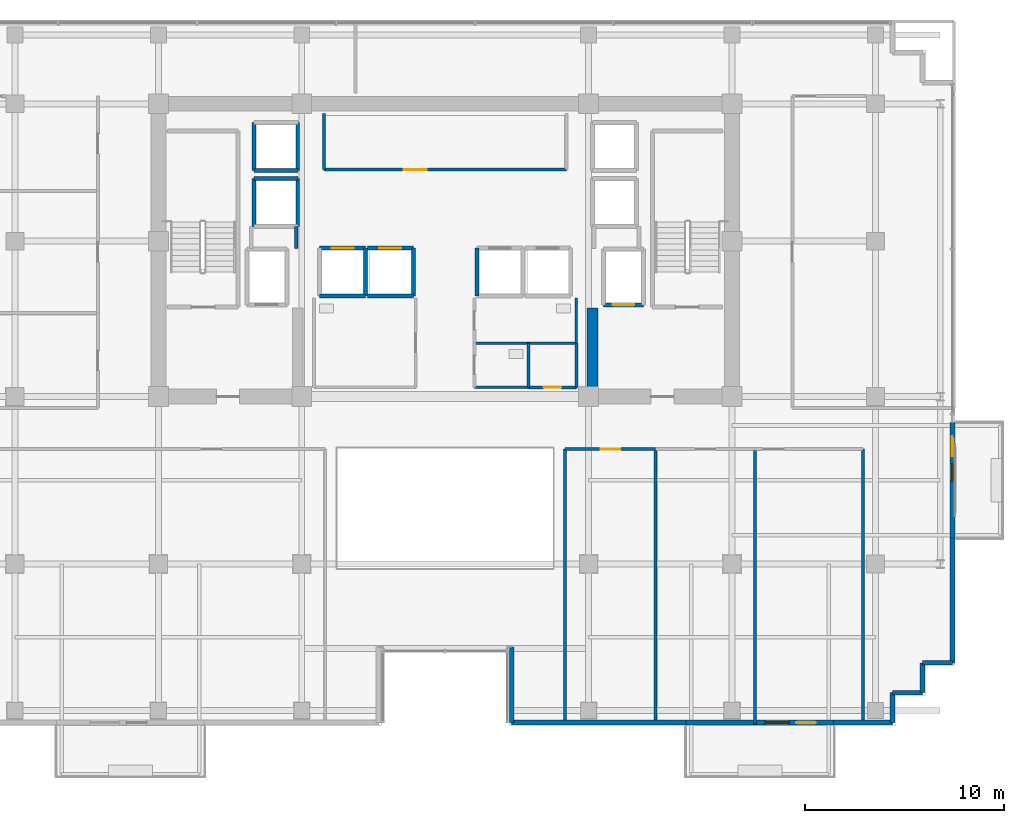
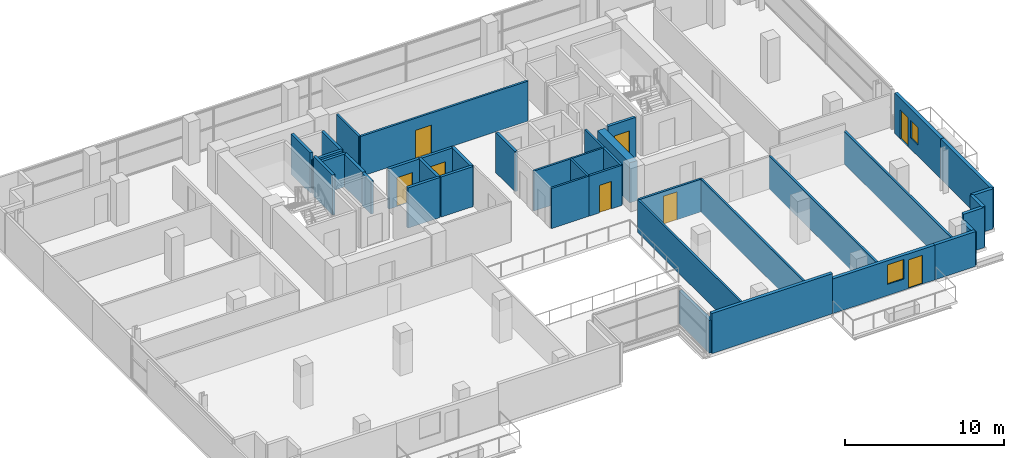
# One storey, part 20 of 27: 39 walls, 8 doors, 2 windows, 10 openings.
"""IFC4 building model written with IfcOpenShell, lengths in metres."""

from ifc_helpers import new_model, si_unit, direction, frame, frame_2d, origin, place, context, subcontext, project, spatial, rectangle, extrude, source, transform, mapped, material, layer, layer_set, type_object, element, fill, save


model = new_model("IFC4")

# Units and contexts
model_context = context("Model", 3, precision=1e-05, world=origin(), true_north=direction((0.0, 1.0)))
body_context = subcontext(model_context, "Body", "Model", "MODEL_VIEW")
ifc_project = project(units=[si_unit("LENGTHUNIT", "METRE"), si_unit("AREAUNIT", "SQUARE_METRE"), si_unit("VOLUMEUNIT", "CUBIC_METRE"), si_unit("PLANEANGLEUNIT", "RADIAN"), si_unit("MASSUNIT", "GRAM", prefix="KILO")], contexts=[model_context])

# Site, building, storey
site_placement = place(None, origin())
site = spatial("IfcSite", under=ifc_project, at=site_placement, CompositionType="ELEMENT")
building_placement = place(site_placement, origin())
building = spatial("IfcBuilding", under=site, at=building_placement, Name="Zarnakvel Exchange Tower", CompositionType="ELEMENT")
storey_placement = place(building_placement, frame((0.0, 0.0, 106.60009765625)))
storey = spatial("IfcBuildingStorey", under=building, at=storey_placement, Name="L29", CompositionType="ELEMENT", Elevation=106.60009765625)

# Wall
ifc_material_1 = material(Name="Concrete C60/75", Category="concrete")
ifc_layer_1 = layer(ifc_material_1, 0.550048828125)
ifc_layer_set_1 = layer_set([ifc_layer_1], Name="Concrete C60/75")
wall_type_1 = type_object("IfcWallType", Name="CW-C4", PredefinedType="SHEAR", material=ifc_layer_set_1)
wall_1_placement = place(storey_placement, frame((7.39990234375, -0.824951171875, 0.0), z_axis=(0.0, 0.0, 1.0), x_axis=(0.0, 1.0, 0.0)))
element("IfcWall", 1, at=wall_1_placement, inside=storey, type_object=wall_type_1, Name="L29 Rear Core Shear Wall IE (CW-C4)", PredefinedType="SHEAR", context=body_context, shape_type="SweptSolid", body=[
    extrude(rectangle(XDim=4.074951171875, YDim=0.550048828125, at=frame_2d((2.03759765625, 0.0))), origin(), (0.0, 0.0, 1.0), 3.074951171875),
])

# Wall, openings, door, window
ifc_material_2 = material(Name="Precast concrete C40/50", Category="concrete")
ifc_layer_2 = layer(ifc_material_2, 0.239990234375)
ifc_layer_set_2 = layer_set([ifc_layer_2], Name="Precast concrete C40/50")
wall_type_2 = type_object("IfcWallType", Name="EW-02", PredefinedType="SOLIDWALL", material=ifc_layer_set_2)
wall_2_placement = place(storey_placement, frame((19.5, -17.56005859375, 0.0), z_axis=(0.0, 0.0, 1.0), x_axis=(-1.0, 0.0, 0.0)))
wall_2 = element("IfcWall", 2, at=wall_2_placement, inside=storey, type_object=wall_type_2, Name="L29 Exterior Precast Spandrel Wall EW-BAL-L29-SE (EW-02)", PredefinedType="SOLIDWALL", context=body_context, shape_type="SweptSolid", body=[
    extrude(rectangle(XDim=7.39990234375, YDim=0.239990234375, at=frame_2d((3.699951171875, 0.0))), origin(), (0.0, 0.0, 1.0), 2.664794921875),
])
opening_1_placement = place(wall_2_placement, frame((0.887939453125, 0.0, 0.0)))
opening_1 = element("IfcOpeningElement", 3, at=opening_1_placement, cuts=wall_2, Name="Opening BD-L29-02", PredefinedType="OPENING", context=body_context, shape_type="SweptSolid", body=[
    extrude(rectangle(XDim=1.0, YDim=2.199951171875, at=frame_2d((0.5, 1.10009765625))), frame((0.0, 0.1298828125, 0.0), z_axis=(0.0, -1.0, 0.0), x_axis=(1.0, 0.0, 0.0)), (0.0, 0.0, 1.0), 0.260009765625),
])
opening_2_placement = place(wall_2_placement, frame((2.238037109375, 0.0, 0.85009765625)))
opening_2 = element("IfcOpeningElement", 4, at=opening_2_placement, cuts=wall_2, Name="Opening WN-04", PredefinedType="OPENING", context=body_context, shape_type="SweptSolid", body=[
    extrude(rectangle(XDim=1.199951171875, YDim=1.5, at=frame_2d((0.60009765625, 0.75))), frame((0.0, 0.1298828125, 0.0), z_axis=(0.0, -1.0, 0.0), x_axis=(1.0, 0.0, 0.0)), (0.0, 0.0, 1.0), 0.260009765625),
])
ifc_material_3 = material(Name="Architectural Bronze Anodised Aluminium", Category="aluminium")
door_type_1 = type_object("IfcDoorType", Name="DT-09", OperationType="NOTDEFINED", PredefinedType="DOOR", material=ifc_material_3)
shared_shape_1 = source(origin(), body_context, "Body", "SweptSolid", [
    extrude(rectangle(XDim=1.0, YDim=2.199951171875, at=frame_2d((0.5, 1.10009765625))), frame((0.0, 0.02490234375, 0.0), z_axis=(0.0, -1.0, 0.0), x_axis=(1.0, 0.0, 0.0)), (0.0, 0.0, 1.0), 0.050048828125),
])
door_1_placement = place(opening_1_placement, origin())
door_1 = element("IfcDoor", 5, at=door_1_placement, inside=storey, type_object=door_type_1, Name="L29 Planted Loggia Balcony Door BD-L29-02", OperationType="SINGLE_SWING_RIGHT", OverallHeight=2.199951171875, OverallWidth=1.0, PredefinedType="DOOR", context=body_context, shape_type="MappedRepresentation", body=[
    mapped(shared_shape_1, transform((0.0, 0.0, 0.0), x_axis=(1.0, 0.0, 0.0), y_axis=(0.0, 1.0, 0.0), z_axis=(0.0, 0.0, 1.0), scale=1.0)),
])
fill(opening_1, door_1)
ifc_material_4 = material(Name="Double Low-E Laminated Vision Glass", Category="glass")
window_type_1 = type_object("IfcWindowType", Name="WN-04", PartitioningType="SINGLE_PANEL", PredefinedType="WINDOW", material=ifc_material_4)
shared_shape_2 = source(origin(), body_context, "Body", "SweptSolid", [
    extrude(rectangle(XDim=1.199951171875, YDim=1.5, at=frame_2d((0.60009765625, 0.75))), frame((0.0, 0.030029296875, 0.0), z_axis=(0.0, -1.0, 0.0), x_axis=(1.0, 0.0, 0.0)), (0.0, 0.0, 1.0), 0.06005859375),
])
window_1_placement = place(opening_2_placement, origin())
window_1 = element("IfcWindow", 6, at=window_1_placement, inside=storey, type_object=window_type_1, Name="L29 Loggia Daylight Window (WN-04)", OverallHeight=1.5, OverallWidth=1.199951171875, PartitioningType="SINGLE_PANEL", PredefinedType="WINDOW", context=body_context, shape_type="MappedRepresentation", body=[
    mapped(shared_shape_2, transform((0.0, 0.0, 0.0), x_axis=(1.0, 0.0, 0.0), y_axis=(0.0, 1.0, 0.0), z_axis=(0.0, 0.0, 1.0), scale=1.0)),
])
fill(opening_2, window_1)

wall_3_placement = place(storey_placement, frame((25.4599609375, -2.5, 0.0), z_axis=(0.0, 0.0, 1.0), x_axis=(0.0, -1.0, 0.0)))
wall_3 = element("IfcWall", 7, at=wall_3_placement, inside=storey, type_object=wall_type_2, Name="L29 Exterior Precast Spandrel Wall EW-BAL-L29-E (EW-02)", PredefinedType="SOLIDWALL", context=body_context, shape_type="SweptSolid", body=[
    extrude(rectangle(XDim=5.800048828125, YDim=0.239990234375, at=frame_2d((2.89990234375, 0.0))), origin(), (0.0, 0.0, 1.0), 3.074951171875),
])
opening_3_placement = place(wall_3_placement, frame((0.696044921875, 0.0, 0.0)))
opening_3 = element("IfcOpeningElement", 8, at=opening_3_placement, cuts=wall_3, Name="Opening BD-L29-03", PredefinedType="OPENING", context=body_context, shape_type="SweptSolid", body=[
    extrude(rectangle(XDim=1.0, YDim=2.199951171875, at=frame_2d((0.5, 1.10009765625))), frame((0.0, 0.1298828125, 0.0), z_axis=(0.0, -1.0, 0.0), x_axis=(1.0, 0.0, 0.0)), (0.0, 0.0, 1.0), 0.260009765625),
])
opening_4_placement = place(wall_3_placement, frame((2.0458984375, 0.0, 0.85009765625)))
opening_4 = element("IfcOpeningElement", 9, at=opening_4_placement, cuts=wall_3, Name="Opening WN-06", PredefinedType="OPENING", context=body_context, shape_type="SweptSolid", body=[
    extrude(rectangle(XDim=0.89990234375, YDim=1.35009765625, at=frame_2d((0.449951171875, 0.675048828125))), frame((0.0, 0.1298828125, 0.0), z_axis=(0.0, -1.0, 0.0), x_axis=(1.0, 0.0, 0.0)), (0.0, 0.0, 1.0), 0.260009765625),
])
door_2_placement = place(opening_3_placement, origin())
door_2 = element("IfcDoor", 10, at=door_2_placement, inside=storey, type_object=door_type_1, Name="L29 Planted Loggia Balcony Door BD-L29-03", OperationType="SINGLE_SWING_LEFT", OverallHeight=2.199951171875, OverallWidth=1.0, PredefinedType="DOOR", context=body_context, shape_type="MappedRepresentation", body=[
    mapped(shared_shape_1, transform((0.0, 0.0, 0.0), x_axis=(1.0, 0.0, 0.0), y_axis=(0.0, 1.0, 0.0), z_axis=(0.0, 0.0, 1.0), scale=1.0)),
])
fill(opening_3, door_2)
window_type_2 = type_object("IfcWindowType", Name="WN-06", PartitioningType="SINGLE_PANEL", PredefinedType="WINDOW", material=ifc_material_4)
shared_shape_3 = source(origin(), body_context, "Body", "SweptSolid", [
    extrude(rectangle(XDim=0.89990234375, YDim=1.35009765625, at=frame_2d((0.449951171875, 0.675048828125))), frame((0.0, 0.030029296875, 0.0), z_axis=(0.0, -1.0, 0.0), x_axis=(1.0, 0.0, 0.0)), (0.0, 0.0, 1.0), 0.06005859375),
])
window_2_placement = place(opening_4_placement, origin())
window_2 = element("IfcWindow", 11, at=window_2_placement, inside=storey, type_object=window_type_2, Name="L29 Loggia Daylight Window (WN-06)", OverallHeight=1.35009765625, OverallWidth=0.89990234375, PartitioningType="SINGLE_PANEL", PredefinedType="WINDOW", context=body_context, shape_type="MappedRepresentation", body=[
    mapped(shared_shape_3, transform((0.0, 0.0, 0.0), x_axis=(1.0, 0.0, 0.0), y_axis=(0.0, 1.0, 0.0), z_axis=(0.0, 0.0, 1.0), scale=1.0)),
])
fill(opening_4, window_2)

# Walls
wall_4_placement = place(storey_placement, frame((25.4599609375, -14.56005859375, 0.0), z_axis=(0.0, 0.0, 1.0), x_axis=(0.0, 1.0, 0.0)))
element("IfcWall", 12, at=wall_4_placement, inside=storey, type_object=wall_type_2, Name="L29 Exterior Precast Spandrel Wall EWC-L29-10 (EW-02)", PredefinedType="SOLIDWALL", context=body_context, shape_type="SweptSolid", body=[
    extrude(rectangle(XDim=6.260009765625, YDim=0.239990234375, at=frame_2d((3.1298828125, 0.0))), origin(), (0.0, 0.0, 1.0), 3.074951171875),
])
for number, where, z_axis, x_axis, name in (
    (13, (23.9599609375, -14.56005859375, 0.0), (0.0, 0.0, 1.0), (1.0, 0.0, 0.0), "L29 Exterior Precast Spandrel Wall EWC-L29-11 (EW-02)"),
    (14, (23.9599609375, -16.06005859375, 0.0), (0.0, 0.0, 1.0), (0.0, 1.0, 0.0), "L29 Exterior Precast Spandrel Wall EWC-L29-12 (EW-02)"),
    (15, (22.4599609375, -16.06005859375, 0.0), (0.0, 0.0, 1.0), (1.0, 0.0, 0.0), "L29 Exterior Precast Spandrel Wall EWC-L29-13 (EW-02)"),
):
    element("IfcWall", number, at=place(storey_placement, frame(where, z_axis=z_axis, x_axis=x_axis)), inside=storey, type_object=wall_type_2, Name=name, PredefinedType="SOLIDWALL", context=body_context, shape_type="SweptSolid", body=[
        extrude(rectangle(XDim=1.5, YDim=0.239990234375, at=frame_2d((0.75, 0.0))), origin(), (0.0, 0.0, 1.0), 3.074951171875),
    ])
wall_5_placement = place(storey_placement, frame((22.4599609375, -17.56005859375, 0.0), z_axis=(0.0, 0.0, 1.0), x_axis=(0.0, 1.0, 0.0)))
element("IfcWall", 16, at=wall_5_placement, inside=storey, type_object=wall_type_2, Name="L29 Exterior Precast Spandrel Wall EWC-L29-14 (EW-02)", PredefinedType="SOLIDWALL", context=body_context, shape_type="SweptSolid", body=[
    extrude(rectangle(XDim=1.5, YDim=0.239990234375, at=frame_2d((0.75, 0.0))), origin(), (0.0, 0.0, 1.0), 2.56494140625),
])
wall_6_placement = place(storey_placement, frame((19.5, -17.56005859375, 0.0), z_axis=(0.0, 0.0, 1.0), x_axis=(1.0, 0.0, 0.0)))
element("IfcWall", 17, at=wall_6_placement, inside=storey, type_object=wall_type_2, Name="L29 Exterior Precast Spandrel Wall EWC-L29-15 (EW-02)", PredefinedType="SOLIDWALL", context=body_context, shape_type="SweptSolid", body=[
    extrude(rectangle(XDim=2.9599609375, YDim=0.239990234375, at=frame_2d((1.47998046875, 0.0))), origin(), (0.0, 0.0, 1.0), 2.664794921875),
])
wall_7_placement = place(storey_placement, frame((3.340087890625, -17.56005859375, 0.0), z_axis=(0.0, 0.0, 1.0), x_axis=(1.0, 0.0, 0.0)))
element("IfcWall", 18, at=wall_7_placement, inside=storey, type_object=wall_type_2, Name="L29 Exterior Precast Spandrel Wall EWC-L29-16 (EW-02)", PredefinedType="SOLIDWALL", context=body_context, shape_type="SweptSolid", body=[
    extrude(rectangle(XDim=8.760009765625, YDim=0.239990234375, at=frame_2d((4.3798828125, 0.0))), origin(), (0.0, 0.0, 1.0), 3.074951171875),
])
wall_8_placement = place(storey_placement, frame((3.340087890625, -13.760009765625, 0.0), z_axis=(0.0, 0.0, 1.0), x_axis=(0.0, -1.0, 0.0)))
element("IfcWall", 19, at=wall_8_placement, inside=storey, type_object=wall_type_2, Name="L29 Exterior Precast Spandrel Wall EWC-L29-17 (EW-02)", PredefinedType="SOLIDWALL", context=body_context, shape_type="SweptSolid", body=[
    extrude(rectangle(XDim=3.800048828125, YDim=0.239990234375, at=frame_2d((1.89990234375, 0.0))), origin(), (0.0, 0.0, 1.0), 2.514892578125),
])

# Wall, opening, door
ifc_material_5 = material(Name="Fire-Rated Gypsum Stud Partition", Category="gypsum")
ifc_layer_3 = layer(ifc_material_5, 0.14990234375)
ifc_layer_set_3 = layer_set([ifc_layer_3], Name="Fire-Rated Gypsum Stud Partition")
wall_type_3 = type_object("IfcWallType", Name="PT-01", PredefinedType="PARTITIONING", material=ifc_layer_set_3)
wall_9_placement = place(storey_placement, frame((6.080078125, 10.199951171875, 0.0), z_axis=(0.0, 0.0, 1.0), x_axis=(-1.0, 0.0, 0.0)))
wall_9 = element("IfcWall", 20, at=wall_9_placement, inside=storey, type_object=wall_type_3, Name="L29 Partition Wall PWALL-L29-011 (PT-01)", PredefinedType="PARTITIONING", context=body_context, shape_type="SweptSolid", body=[
    extrude(rectangle(XDim=12.16015625, YDim=0.14990234375, at=frame_2d((6.080078125, 0.0))), origin(), (0.0, 0.0, 1.0), 3.074951171875),
])
opening_5_placement = place(wall_9_placement, frame((7.0048828125, 0.0, 0.0)))
opening_5 = element("IfcOpeningElement", 21, at=opening_5_placement, cuts=wall_9, Name="Opening D-L29-05", PredefinedType="OPENING", context=body_context, shape_type="SweptSolid", body=[
    extrude(rectangle(XDim=1.14990234375, YDim=2.14990234375, at=frame_2d((0.574951171875, 1.074951171875))), frame((0.0, 0.0849609375, 0.0), z_axis=(0.0, -1.0, 0.0), x_axis=(1.0, 0.0, 0.0)), (0.0, 0.0, 1.0), 0.169921875),
])
ifc_material_6 = material(Name="Painted Galvanised Steel S355", Category="steel")
door_type_2 = type_object("IfcDoorType", Name="DT-04", OperationType="NOTDEFINED", PredefinedType="DOOR", material=ifc_material_6)
shared_shape_4 = source(origin(), body_context, "Body", "SweptSolid", [
    extrude(rectangle(XDim=1.14990234375, YDim=2.14990234375, at=frame_2d((0.574951171875, 1.074951171875))), frame((0.0, 0.02490234375, 0.0), z_axis=(0.0, -1.0, 0.0), x_axis=(1.0, 0.0, 0.0)), (0.0, 0.0, 1.0), 0.050048828125),
])
door_3_placement = place(opening_5_placement, origin())
door_3 = element("IfcDoor", 22, at=door_3_placement, inside=storey, type_object=door_type_2, Name="L29 Market Data Archive Suite Door D-L29-05", OperationType="SINGLE_SWING_LEFT", OverallHeight=2.14990234375, OverallWidth=1.14990234375, PredefinedType="DOOR", context=body_context, shape_type="MappedRepresentation", body=[
    mapped(shared_shape_4, transform((0.0, 0.0, 0.0), x_axis=(1.0, 0.0, 0.0), y_axis=(0.0, 1.0, 0.0), z_axis=(0.0, 0.0, 1.0), scale=1.0)),
])
fill(opening_5, door_3)

# Wall
wall_10_placement = place(storey_placement, frame((-6.080078125, 10.199951171875, 0.0), z_axis=(0.0, 0.0, 1.0), x_axis=(0.0, 1.0, 0.0)))
element("IfcWall", 23, at=wall_10_placement, inside=storey, type_object=wall_type_3, Name="L29 Partition Wall PWALL-L29-012 (PT-01)", PredefinedType="PARTITIONING", context=body_context, shape_type="SweptSolid", body=[
    extrude(rectangle(XDim=2.800048828125, YDim=0.14990234375, at=frame_2d((1.39990234375, 0.0))), origin(), (0.0, 0.0, 1.0), 3.074951171875),
])

# Wall, opening, door
wall_11_placement = place(storey_placement, frame((6.580078125, -0.72998046875, 0.0), z_axis=(0.0, 0.0, 1.0), x_axis=(-1.0, 0.0, 0.0)))
wall_11 = element("IfcWall", 24, at=wall_11_placement, inside=storey, type_object=wall_type_3, Name="L29 Partition Wall PWALL-L29-023 (PT-01)", PredefinedType="PARTITIONING", context=body_context, shape_type="SweptSolid", body=[
    extrude(rectangle(XDim=2.400146484375, YDim=0.14990234375, at=frame_2d((1.2001953125, 0.0))), origin(), (0.0, 0.0, 1.0), 3.074951171875),
])
opening_6_placement = place(wall_11_placement, frame((0.760009765625, 0.0, 0.0)))
opening_6 = element("IfcOpeningElement", 25, at=opening_6_placement, cuts=wall_11, Name="Opening D-L29-09", PredefinedType="OPENING", context=body_context, shape_type="SweptSolid", body=[
    extrude(rectangle(XDim=0.8798828125, YDim=2.10009765625, at=frame_2d((0.43994140625, 1.050048828125))), frame((0.0, 0.0849609375, 0.0), z_axis=(0.0, -1.0, 0.0), x_axis=(1.0, 0.0, 0.0)), (0.0, 0.0, 1.0), 0.169921875),
])
door_type_3 = type_object("IfcDoorType", Name="DT-08", OperationType="NOTDEFINED", PredefinedType="DOOR", material=ifc_material_6)
shared_shape_5 = source(origin(), body_context, "Body", "SweptSolid", [
    extrude(rectangle(XDim=0.8798828125, YDim=2.10009765625, at=frame_2d((0.43994140625, 1.050048828125))), frame((0.0, 0.02490234375, 0.0), z_axis=(0.0, -1.0, 0.0), x_axis=(1.0, 0.0, 0.0)), (0.0, 0.0, 1.0), 0.050048828125),
])
door_4_placement = place(opening_6_placement, origin())
door_4 = element("IfcDoor", 26, at=door_4_placement, inside=storey, type_object=door_type_3, Name="L29 Cleaners Store Door D-L29-09", OperationType="SINGLE_SWING_LEFT", OverallHeight=2.10009765625, OverallWidth=0.8798828125, PredefinedType="DOOR", context=body_context, shape_type="MappedRepresentation", body=[
    mapped(shared_shape_5, transform((0.0, 0.0, 0.0), x_axis=(1.0, 0.0, 0.0), y_axis=(0.0, 1.0, 0.0), z_axis=(0.0, 0.0, 1.0), scale=1.0)),
])
fill(opening_6, door_4)

# Wall
wall_12_placement = place(storey_placement, frame((6.580078125, 1.47998046875, 0.0), z_axis=(0.0, 0.0, 1.0), x_axis=(0.0, -1.0, 0.0)))
element("IfcWall", 27, at=wall_12_placement, inside=storey, type_object=wall_type_3, Name="L29 Partition Wall PWALL-L29-024 (PT-01)", PredefinedType="PARTITIONING", context=body_context, shape_type="SweptSolid", body=[
    extrude(rectangle(XDim=2.2099609375, YDim=0.14990234375, at=frame_2d((1.10498046875, 0.0))), origin(), (0.0, 0.0, 1.0), 3.074951171875),
])

# Wall, opening, door
wall_13_placement = place(storey_placement, frame((6.02001953125, -3.830078125, 0.0), z_axis=(0.0, 0.0, 1.0), x_axis=(1.0, 0.0, 0.0)))
wall_13 = element("IfcWall", 28, at=wall_13_placement, inside=storey, type_object=wall_type_3, Name="L29 Partition Wall PWALL-L29-030 (PT-01)", PredefinedType="PARTITIONING", context=body_context, shape_type="SweptSolid", body=[
    extrude(rectangle(XDim=4.54833984375, YDim=0.14990234375, at=frame_2d((2.274169921875, 0.0))), origin(), (0.0, 0.0, 1.0), 2.514892578125),
])
opening_7_placement = place(wall_13_placement, frame((1.783935546875, 0.0, 0.0)))
opening_7 = element("IfcOpeningElement", 29, at=opening_7_placement, cuts=wall_13, Name="Opening D-L29-11", PredefinedType="OPENING", context=body_context, shape_type="SweptSolid", body=[
    extrude(rectangle(XDim=0.97998046875, YDim=2.14990234375, at=frame_2d((0.489990234375, 1.074951171875))), frame((0.0, 0.0849609375, 0.0), z_axis=(0.0, -1.0, 0.0), x_axis=(1.0, 0.0, 0.0)), (0.0, 0.0, 1.0), 0.169921875),
])
ifc_material_7 = material(Name="Timber Acoustic Veneer", Category="wood")
door_type_4 = type_object("IfcDoorType", Name="DT-05", OperationType="NOTDEFINED", PredefinedType="DOOR", material=ifc_material_7)
shared_shape_6 = source(origin(), body_context, "Body", "SweptSolid", [
    extrude(rectangle(XDim=0.97998046875, YDim=2.14990234375, at=frame_2d((0.489990234375, 1.074951171875))), frame((0.0, 0.02490234375, 0.0), z_axis=(0.0, -1.0, 0.0), x_axis=(1.0, 0.0, 0.0)), (0.0, 0.0, 1.0), 0.050048828125),
])
door_5_placement = place(opening_7_placement, origin())
door_5 = element("IfcDoor", 30, at=door_5_placement, inside=storey, type_object=door_type_4, Name="L29 Conference Room Door D-L29-11", OperationType="SINGLE_SWING_LEFT", OverallHeight=2.14990234375, OverallWidth=0.97998046875, PredefinedType="DOOR", context=body_context, shape_type="MappedRepresentation", body=[
    mapped(shared_shape_6, transform((0.0, 0.0, 0.0), x_axis=(1.0, 0.0, 0.0), y_axis=(0.0, 1.0, 0.0), z_axis=(0.0, 0.0, 1.0), scale=1.0)),
])
fill(opening_7, door_5)

# Walls
for number, where, z_axis, x_axis, name in (
    (31, (6.02001953125, -17.6298828125, 0.0), (0.0, 0.0, 1.0), (0.0, 1.0, 0.0), "L29 Partition Wall PWALL-L29-031 (PT-01)"),
    (32, (10.568359375, -3.830078125, 0.0), (0.0, 0.0, 1.0), (0.0, -1.0, 0.0), "L29 Partition Wall PWALL-L29-032 (PT-01)"),
    (33, (15.5556640625, -3.830078125, 0.0), (0.0, 0.0, 1.0), (0.0, -1.0, 0.0), "L29 Partition Wall PWALL-L29-035 (PT-01)"),
    (34, (20.981689453125, -3.830078125, 0.0), (0.0, 0.0, 1.0), (0.0, -1.0, 0.0), "L29 Partition Wall PWALL-L29-038 (PT-01)"),
):
    element("IfcWall", number, at=place(storey_placement, frame(where, z_axis=z_axis, x_axis=x_axis)), inside=storey, type_object=wall_type_3, Name=name, PredefinedType="PARTITIONING", context=body_context, shape_type="SweptSolid", body=[
        extrude(rectangle(XDim=13.7998046875, YDim=0.14990234375, at=frame_2d((6.89990234375, 0.0))), origin(), (0.0, 0.0, 1.0), 2.514892578125),
    ])
ifc_layer_4 = layer(ifc_material_5, 0.179931640625)
ifc_layer_set_4 = layer_set([ifc_layer_4], Name="Fire-Rated Gypsum Stud Partition")
wall_type_4 = type_object("IfcWallType", Name="PT-02", PredefinedType="PARTITIONING", material=ifc_layer_set_4)
wall_14_placement = place(storey_placement, frame((-7.469970703125, 7.330078125, 0.0), z_axis=(0.0, 0.0, 1.0), x_axis=(0.0, -1.0, 0.0)))
element("IfcWall", 35, at=wall_14_placement, inside=storey, type_object=wall_type_4, Name="L29 Partition Wall PWALL-L29-008 (PT-02)", PredefinedType="PARTITIONING", context=body_context, shape_type="SweptSolid", body=[
    extrude(rectangle(XDim=1.090087890625, YDim=0.179931640625, at=frame_2d((0.544921875, 0.0))), origin(), (0.0, 0.0, 1.0), 2.514892578125),
])
ifc_material_8 = material(Name="Moisture-Resistant Tile-Faced Partition", Category="gypsum")
ifc_layer_5 = layer(ifc_material_8, 0.135009765625)
ifc_layer_set_5 = layer_set([ifc_layer_5], Name="Moisture-Resistant Tile-Faced Partition")
wall_type_5 = type_object("IfcWallType", Name="PT-03", PredefinedType="PARTITIONING", material=ifc_layer_set_5)
wall_15_placement = place(storey_placement, frame((6.580078125, 1.47998046875, 0.0), z_axis=(0.0, 0.0, 1.0), x_axis=(-1.0, 0.0, 0.0)))
element("IfcWall", 36, at=wall_15_placement, inside=storey, type_object=wall_type_5, Name="L29 Partition Wall PWALL-L29-017 (PT-03)", PredefinedType="PARTITIONING", context=body_context, shape_type="SweptSolid", body=[
    extrude(rectangle(XDim=5.110107421875, YDim=0.135009765625, at=frame_2d((2.55517578125, 0.0))), origin(), (0.0, 0.0, 1.0), 3.074951171875),
])
wall_16_placement = place(storey_placement, frame((6.580078125, 3.760009765625, 0.0), z_axis=(0.0, 0.0, 1.0), x_axis=(0.0, -1.0, 0.0)))
element("IfcWall", 37, at=wall_16_placement, inside=storey, type_object=wall_type_5, Name="L29 Partition Wall PWALL-L29-019 (PT-03)", PredefinedType="PARTITIONING", context=body_context, shape_type="SweptSolid", body=[
    extrude(rectangle(XDim=2.280029296875, YDim=0.135009765625, at=frame_2d((1.14013671875, 0.0))), origin(), (0.0, 0.0, 1.0), 3.074951171875),
])
wall_17_placement = place(storey_placement, frame((4.179931640625, -0.72998046875, 0.0), z_axis=(0.0, 0.0, 1.0), x_axis=(-1.0, 0.0, 0.0)))
element("IfcWall", 38, at=wall_17_placement, inside=storey, type_object=wall_type_5, Name="L29 Partition Wall PWALL-L29-020 (PT-03)", PredefinedType="PARTITIONING", context=body_context, shape_type="SweptSolid", body=[
    extrude(rectangle(XDim=2.7099609375, YDim=0.135009765625, at=frame_2d((1.35498046875, 0.0))), origin(), (0.0, 0.0, 1.0), 3.074951171875),
])
wall_18_placement = place(storey_placement, frame((4.179931640625, 1.47998046875, 0.0), z_axis=(0.0, 0.0, 1.0), x_axis=(0.0, -1.0, 0.0)))
element("IfcWall", 39, at=wall_18_placement, inside=storey, type_object=wall_type_5, Name="L29 Partition Wall PWALL-L29-022 (PT-03)", PredefinedType="PARTITIONING", context=body_context, shape_type="SweptSolid", body=[
    extrude(rectangle(XDim=2.2099609375, YDim=0.135009765625, at=frame_2d((1.10498046875, 0.0))), origin(), (0.0, 0.0, 1.0), 3.074951171875),
])

# Wall, opening, door
ifc_material_9 = material(Name="Concrete C40/50", Category="concrete")
ifc_layer_6 = layer(ifc_material_9, 0.199951171875)
ifc_layer_set_6 = layer_set([ifc_layer_6], Name="Concrete C40/50")
wall_type_6 = type_object("IfcWallType", Name="SW-01", PredefinedType="SOLIDWALL", material=ifc_layer_set_6)
wall_19_placement = place(storey_placement, frame((9.949951171875, 3.39990234375, 0.0), z_axis=(0.0, 0.0, 1.0), x_axis=(-1.0, 0.0, 0.0)))
wall_19 = element("IfcWall", 40, at=wall_19_placement, inside=storey, type_object=wall_type_6, Name="L29 FL-02 Hoistway Wall South", PredefinedType="SOLIDWALL", context=body_context, shape_type="SweptSolid", body=[
    extrude(rectangle(XDim=2.0, YDim=0.199951171875, at=frame_2d((1.0, 0.0))), origin(), (0.0, 0.0, 1.0), 3.074951171875),
])
opening_8_placement = place(wall_19_placement, frame((0.449951171875, 0.0, 0.0)))
opening_8 = element("IfcOpeningElement", 41, at=opening_8_placement, cuts=wall_19, Name="Opening LD-FL-02-L29", PredefinedType="OPENING", context=body_context, shape_type="SweptSolid", body=[
    extrude(rectangle(XDim=1.10009765625, YDim=2.199951171875, at=frame_2d((0.550048828125, 1.10009765625))), frame((0.0, 0.10986328125, 0.0), z_axis=(0.0, -1.0, 0.0), x_axis=(1.0, 0.0, 0.0)), (0.0, 0.0, 1.0), 0.219970703125),
])
ifc_material_10 = material(Name="Brushed Stainless Steel", Category="steel")
door_type_5 = type_object("IfcDoorType", Name="LDT-01", OperationType="NOTDEFINED", PredefinedType="DOOR", material=ifc_material_10)
shared_shape_7 = source(origin(), body_context, "Body", "SweptSolid", [
    extrude(rectangle(XDim=1.10009765625, YDim=2.199951171875, at=frame_2d((0.550048828125, 1.10009765625))), frame((0.0, 0.02490234375, 0.0), z_axis=(0.0, -1.0, 0.0), x_axis=(1.0, 0.0, 0.0)), (0.0, 0.0, 1.0), 0.050048828125),
])
door_6_placement = place(opening_8_placement, origin())
door_6 = element("IfcDoor", 42, at=door_6_placement, inside=storey, type_object=door_type_5, Name="L29 FL-02 Lift Landing Door LD-FL-02-L29", OperationType="DOUBLE_DOOR_SLIDING", OverallHeight=2.199951171875, OverallWidth=1.10009765625, PredefinedType="DOOR", context=body_context, shape_type="MappedRepresentation", body=[
    mapped(shared_shape_7, transform((0.0, 0.0, 0.0), x_axis=(1.0, 0.0, 0.0), y_axis=(0.0, 1.0, 0.0), z_axis=(0.0, 0.0, 1.0), scale=1.0)),
])
fill(opening_8, door_6)

# Wall
wall_20_placement = place(storey_placement, frame((-4.0, 3.85009765625, 0.0), z_axis=(0.0, 0.0, 1.0), x_axis=(-1.0, 0.0, 0.0)))
element("IfcWall", 43, at=wall_20_placement, inside=storey, type_object=wall_type_6, Name="L29 PL-05 Hoistway Wall South", PredefinedType="SOLIDWALL", context=body_context, shape_type="SweptSolid", body=[
    extrude(rectangle(XDim=2.300048828125, YDim=0.199951171875, at=frame_2d((1.14990234375, 0.0))), origin(), (0.0, 0.0, 1.0), 3.074951171875),
])

# Wall, opening, door
wall_21_placement = place(storey_placement, frame((-6.300048828125, 6.25, 0.0), z_axis=(0.0, 0.0, 1.0), x_axis=(1.0, 0.0, 0.0)))
wall_21 = element("IfcWall", 44, at=wall_21_placement, inside=storey, type_object=wall_type_6, Name="L29 PL-05 Hoistway Wall North", PredefinedType="SOLIDWALL", context=body_context, shape_type="SweptSolid", body=[
    extrude(rectangle(XDim=2.300048828125, YDim=0.199951171875, at=frame_2d((1.14990234375, 0.0))), origin(), (0.0, 0.0, 1.0), 3.074951171875),
])
opening_9_placement = place(wall_21_placement, frame((0.60009765625, 0.0, 0.0)))
opening_9 = element("IfcOpeningElement", 45, at=opening_9_placement, cuts=wall_21, Name="Opening LD-PL-05-L29", PredefinedType="OPENING", context=body_context, shape_type="SweptSolid", body=[
    extrude(rectangle(XDim=1.10009765625, YDim=2.199951171875, at=frame_2d((0.550048828125, 1.10009765625))), frame((0.0, 0.10986328125, 0.0), z_axis=(0.0, -1.0, 0.0), x_axis=(1.0, 0.0, 0.0)), (0.0, 0.0, 1.0), 0.219970703125),
])
door_type_6 = type_object("IfcDoorType", Name="LDT-02", OperationType="NOTDEFINED", PredefinedType="DOOR", material=ifc_material_3)
door_7_placement = place(opening_9_placement, origin())
door_7 = element("IfcDoor", 46, at=door_7_placement, inside=storey, type_object=door_type_6, Name="L29 PL-05 Lift Landing Door LD-PL-05-L29", OperationType="DOUBLE_DOOR_SLIDING", OverallHeight=2.199951171875, OverallWidth=1.10009765625, PredefinedType="DOOR", context=body_context, shape_type="MappedRepresentation", body=[
    mapped(shared_shape_7, transform((0.0, 0.0, 0.0), x_axis=(1.0, 0.0, 0.0), y_axis=(0.0, 1.0, 0.0), z_axis=(0.0, 0.0, 1.0), scale=1.0)),
])
fill(opening_9, door_7)

# Walls
wall_22_placement = place(storey_placement, frame((-4.0, 6.25, 0.0), z_axis=(0.0, 0.0, 1.0), x_axis=(0.0, -1.0, 0.0)))
element("IfcWall", 47, at=wall_22_placement, inside=storey, type_object=wall_type_6, Name="L29 PL-05 Hoistway Wall East", PredefinedType="SOLIDWALL", context=body_context, shape_type="SweptSolid", body=[
    extrude(rectangle(XDim=2.39990234375, YDim=0.199951171875, at=frame_2d((1.199951171875, 0.0))), origin(), (0.0, 0.0, 1.0), 3.074951171875),
])
wall_23_placement = place(storey_placement, frame((-1.60009765625, 3.85009765625, 0.0), z_axis=(0.0, 0.0, 1.0), x_axis=(-1.0, 0.0, 0.0)))
element("IfcWall", 48, at=wall_23_placement, inside=storey, type_object=wall_type_6, Name="L29 PL-06 Hoistway Wall South", PredefinedType="SOLIDWALL", context=body_context, shape_type="SweptSolid", body=[
    extrude(rectangle(XDim=2.2998046875, YDim=0.199951171875, at=frame_2d((1.14990234375, 0.0))), origin(), (0.0, 0.0, 1.0), 3.074951171875),
])

# Wall, opening, door
wall_24_placement = place(storey_placement, frame((-3.89990234375, 6.25, 0.0), z_axis=(0.0, 0.0, 1.0), x_axis=(1.0, 0.0, 0.0)))
wall_24 = element("IfcWall", 49, at=wall_24_placement, inside=storey, type_object=wall_type_6, Name="L29 PL-06 Hoistway Wall North", PredefinedType="SOLIDWALL", context=body_context, shape_type="SweptSolid", body=[
    extrude(rectangle(XDim=2.2998046875, YDim=0.199951171875, at=frame_2d((1.14990234375, 0.0))), origin(), (0.0, 0.0, 1.0), 3.074951171875),
])
opening_10_placement = place(wall_24_placement, frame((0.60009765625, 0.0, 0.0)))
opening_10 = element("IfcOpeningElement", 50, at=opening_10_placement, cuts=wall_24, Name="Opening LD-PL-06-L29", PredefinedType="OPENING", context=body_context, shape_type="SweptSolid", body=[
    extrude(rectangle(XDim=1.10009765625, YDim=2.199951171875, at=frame_2d((0.550048828125, 1.10009765625))), frame((0.0, 0.10986328125, 0.0), z_axis=(0.0, -1.0, 0.0), x_axis=(1.0, 0.0, 0.0)), (0.0, 0.0, 1.0), 0.219970703125),
])
door_8_placement = place(opening_10_placement, origin())
door_8 = element("IfcDoor", 51, at=door_8_placement, inside=storey, type_object=door_type_6, Name="L29 PL-06 Lift Landing Door LD-PL-06-L29", OperationType="DOUBLE_DOOR_SLIDING", OverallHeight=2.199951171875, OverallWidth=1.10009765625, PredefinedType="DOOR", context=body_context, shape_type="MappedRepresentation", body=[
    mapped(shared_shape_7, transform((0.0, 0.0, 0.0), x_axis=(1.0, 0.0, 0.0), y_axis=(0.0, 1.0, 0.0), z_axis=(0.0, 0.0, 1.0), scale=1.0)),
])
fill(opening_10, door_8)

# Walls
for number, where, z_axis, x_axis, name in (
    (52, (-1.60009765625, 6.25, 0.0), (0.0, 0.0, 1.0), (0.0, -1.0, 0.0), "L29 PL-06 Hoistway Wall East"),
    (53, (1.60009765625, 3.85009765625, 0.0), (0.0, 0.0, 1.0), (0.0, 1.0, 0.0), "L29 PL-07 Hoistway Wall West"),
):
    element("IfcWall", number, at=place(storey_placement, frame(where, z_axis=z_axis, x_axis=x_axis)), inside=storey, type_object=wall_type_6, Name=name, PredefinedType="SOLIDWALL", context=body_context, shape_type="SweptSolid", body=[
        extrude(rectangle(XDim=2.39990234375, YDim=0.199951171875, at=frame_2d((1.199951171875, 0.0))), origin(), (0.0, 0.0, 1.0), 3.074951171875),
    ])
wall_25_placement = place(storey_placement, frame((-9.60009765625, 9.75, 0.0), z_axis=(0.0, 0.0, 1.0), x_axis=(1.0, 0.0, 0.0)))
element("IfcWall", 54, at=wall_25_placement, inside=storey, type_object=wall_type_6, Name="L29 PL-09 Hoistway Wall North", PredefinedType="SOLIDWALL", context=body_context, shape_type="SweptSolid", body=[
    extrude(rectangle(XDim=2.2001953125, YDim=0.199951171875, at=frame_2d((1.10009765625, 0.0))), origin(), (0.0, 0.0, 1.0), 2.514892578125),
])
wall_26_placement = place(storey_placement, frame((-9.60009765625, 7.35009765625, 0.0), z_axis=(0.0, 0.0, 1.0), x_axis=(0.0, 1.0, 0.0)))
element("IfcWall", 55, at=wall_26_placement, inside=storey, type_object=wall_type_6, Name="L29 PL-09 Hoistway Wall West", PredefinedType="SOLIDWALL", context=body_context, shape_type="SweptSolid", body=[
    extrude(rectangle(XDim=2.39990234375, YDim=0.199951171875, at=frame_2d((1.199951171875, 0.0))), origin(), (0.0, 0.0, 1.0), 3.074951171875),
])
wall_27_placement = place(storey_placement, frame((-7.39990234375, 9.75, 0.0), z_axis=(0.0, 0.0, 1.0), x_axis=(0.0, -1.0, 0.0)))
element("IfcWall", 56, at=wall_27_placement, inside=storey, type_object=wall_type_6, Name="L29 PL-09 Hoistway Wall East", PredefinedType="SOLIDWALL", context=body_context, shape_type="SweptSolid", body=[
    extrude(rectangle(XDim=2.39990234375, YDim=0.199951171875, at=frame_2d((1.199951171875, 0.0))), origin(), (0.0, 0.0, 1.0), 2.514892578125),
])
wall_28_placement = place(storey_placement, frame((-7.39990234375, 10.14990234375, 0.0), z_axis=(0.0, 0.0, 1.0), x_axis=(-1.0, 0.0, 0.0)))
element("IfcWall", 57, at=wall_28_placement, inside=storey, type_object=wall_type_6, Name="L29 PL-10 Hoistway Wall South", PredefinedType="SOLIDWALL", context=body_context, shape_type="SweptSolid", body=[
    extrude(rectangle(XDim=2.2001953125, YDim=0.199951171875, at=frame_2d((1.10009765625, 0.0))), origin(), (0.0, 0.0, 1.0), 2.514892578125),
])
wall_29_placement = place(storey_placement, frame((-9.60009765625, 10.14990234375, 0.0), z_axis=(0.0, 0.0, 1.0), x_axis=(0.0, 1.0, 0.0)))
element("IfcWall", 58, at=wall_29_placement, inside=storey, type_object=wall_type_6, Name="L29 PL-10 Hoistway Wall West", PredefinedType="SOLIDWALL", context=body_context, shape_type="SweptSolid", body=[
    extrude(rectangle(XDim=2.400146484375, YDim=0.199951171875, at=frame_2d((1.2001953125, 0.0))), origin(), (0.0, 0.0, 1.0), 3.074951171875),
])
wall_30_placement = place(storey_placement, frame((-7.39990234375, 12.550048828125, 0.0), z_axis=(0.0, 0.0, 1.0), x_axis=(0.0, -1.0, 0.0)))
element("IfcWall", 59, at=wall_30_placement, inside=storey, type_object=wall_type_6, Name="L29 PL-10 Hoistway Wall East", PredefinedType="SOLIDWALL", context=body_context, shape_type="SweptSolid", body=[
    extrude(rectangle(XDim=2.400146484375, YDim=0.199951171875, at=frame_2d((1.2001953125, 0.0))), origin(), (0.0, 0.0, 1.0), 2.514892578125),
])

save(model, "model.ifc")
